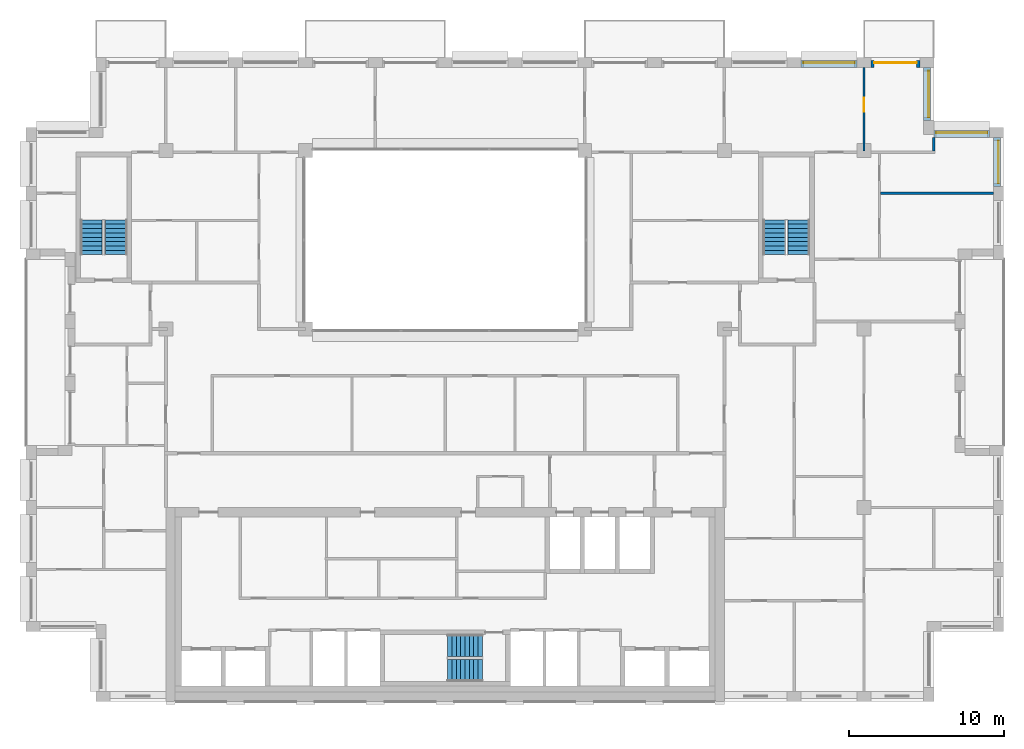
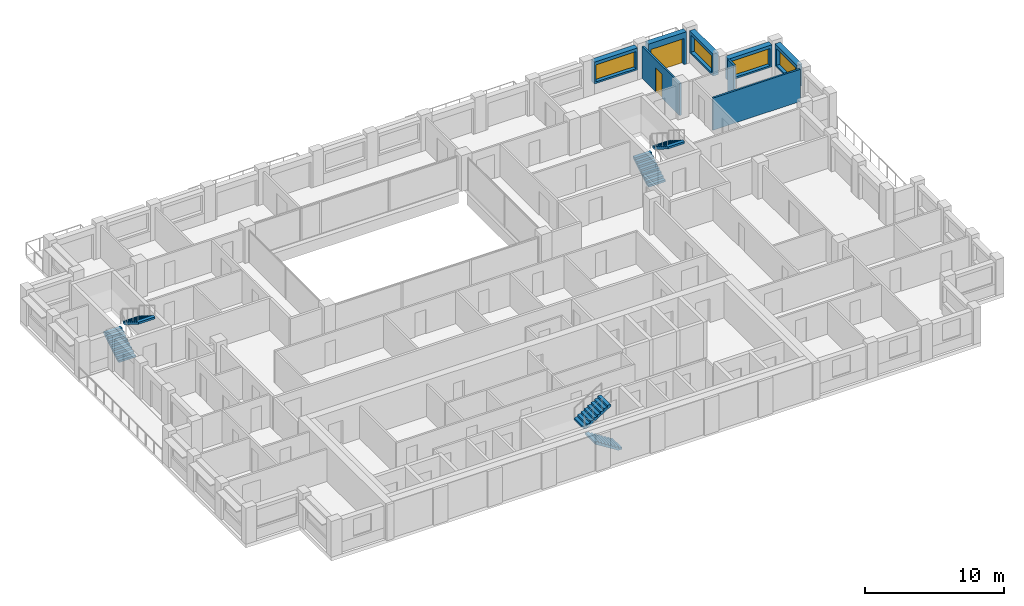
# One storey, part 14 of 15: 8 walls, 6 stair flights, 4 windows, 2 doors, 6 openings, 3 elements without a shape of their own.
"""IFC4 building model written with IfcOpenShell, lengths in metres."""

from ifc_helpers import new_model, si_unit, direction, frame, frame_2d, origin, place, context, subcontext, project, spatial, polyline, rectangle, outline, extrude, material, layer, layer_set, type_object, element, fill, aggregate, save


model = new_model("IFC4")

# Units and contexts
model_context = context("Model", 3, precision=1e-05, world=origin(), true_north=direction((0.0, 1.0)))
body_context = subcontext(model_context, "Body", "Model", "MODEL_VIEW")
ifc_project = project(units=[si_unit("LENGTHUNIT", "METRE"), si_unit("AREAUNIT", "SQUARE_METRE"), si_unit("VOLUMEUNIT", "CUBIC_METRE"), si_unit("PLANEANGLEUNIT", "RADIAN"), si_unit("MASSUNIT", "GRAM", prefix="KILO")], contexts=[model_context])

# Site, building, storey
site_placement = place(None, origin())
site = spatial("IfcSite", under=ifc_project, at=site_placement, CompositionType="ELEMENT")
building_placement = place(site_placement, origin())
building = spatial("IfcBuilding", under=site, at=building_placement, Name="Brigalow Station Residences", CompositionType="ELEMENT")
storey_placement = place(building_placement, frame((0.0, 0.0, 223.199951171875)))
storey = spatial("IfcBuildingStorey", under=building, at=storey_placement, Name="L64", CompositionType="ELEMENT", Elevation=223.199951171875)

# Wall, opening, window
ifc_material_1 = material(Name="Clay brick masonry", Category="masonry")
ifc_layer_1 = layer(ifc_material_1, 0.449951171875)
ifc_layer_set_1 = layer_set([ifc_layer_1], Name="BRICK INFILL WALL 450")
wall_type_1 = type_object("IfcWallType", Name="BRICK INFILL WALL 450", PredefinedType="SOLIDWALL", material=ifc_layer_set_1)
wall_1_placement = place(storey_placement, frame((71.574951171875, 33.199951171875, 0.900146484375), z_axis=(0.0, 0.0, 1.0), x_axis=(0.0, 1.0, 0.0)))
wall_1 = element("IfcWall", 1, at=wall_1_placement, inside=storey, type_object=wall_type_1, Name="L64/ewall/W-L64-17", PredefinedType="SOLIDWALL", context=body_context, shape_type="SweptSolid", body=[
    extrude(rectangle(XDim=3.150146484375, YDim=0.449951171875, at=frame_2d((1.5751953125, 0.0))), origin(), (0.0, 0.0, 1.0), 1.929931640625),
])
opening_1_placement = place(wall_1_placement, frame((0.199951171875, 0.0, 0.14990234375)))
opening_1 = element("IfcOpeningElement", 2, at=opening_1_placement, cuts=wall_1, Name="Opening WT-3", PredefinedType="OPENING", context=body_context, shape_type="SweptSolid", body=[
    extrude(rectangle(XDim=2.75, YDim=1.5, at=frame_2d((1.375, 0.75))), frame((0.0, 0.23486328125, 0.0), z_axis=(0.0, -1.0, 0.0), x_axis=(1.0, 0.0, 0.0)), (0.0, 0.0, 1.0), 0.469970703125),
])
ifc_material_2 = material(Name="Anodised aluminium frame with double glazing", Category="aluminium")
window_type_1 = type_object("IfcWindowType", Name="WINDOW 2750x1500", PartitioningType="SINGLE_PANEL", PredefinedType="WINDOW", material=ifc_material_2)
window_1_placement = place(opening_1_placement, origin())
window_1 = element("IfcWindow", 3, at=window_1_placement, inside=storey, type_object=window_type_1, Name="L64/window/W-L64-17", OverallHeight=1.5, OverallWidth=2.75, PartitioningType="SINGLE_PANEL", PredefinedType="WINDOW", context=body_context, shape_type="SweptSolid", body=[
    extrude(rectangle(XDim=2.75, YDim=1.5, at=frame_2d((1.375, 0.75))), frame((0.0, -0.06494140625, 0.0), z_axis=(0.0, -1.0, 0.0), x_axis=(1.0, 0.0, 0.0)), (0.0, 0.0, 1.0), 0.06005859375),
])
fill(opening_1, window_1)

wall_2_placement = place(storey_placement, frame((71.10009765625, 36.574951171875, 0.900146484375), z_axis=(0.0, 0.0, 1.0), x_axis=(-1.0, 0.0, 0.0)))
wall_2 = element("IfcWall", 4, at=wall_2_placement, inside=storey, type_object=wall_type_1, Name="L64/ewall/W-L64-18", PredefinedType="SOLIDWALL", context=body_context, shape_type="SweptSolid", body=[
    extrude(rectangle(XDim=3.60009765625, YDim=0.449951171875, at=frame_2d((1.800048828125, 0.0))), origin(), (0.0, 0.0, 1.0), 1.929931640625),
])
opening_2_placement = place(wall_2_placement, frame((0.14990234375, 0.0, 0.14990234375)))
opening_2 = element("IfcOpeningElement", 5, at=opening_2_placement, cuts=wall_2, Name="Opening WT-10", PredefinedType="OPENING", context=body_context, shape_type="SweptSolid", body=[
    extrude(rectangle(XDim=3.300048828125, YDim=1.5, at=frame_2d((1.64990234375, 0.75))), frame((0.0, 0.23486328125, 0.0), z_axis=(0.0, -1.0, 0.0), x_axis=(1.0, 0.0, 0.0)), (0.0, 0.0, 1.0), 0.469970703125),
])
ifc_material_3 = material(Name="Anodised aluminium frame with double glazing", Category="aluminium")
window_type_2 = type_object("IfcWindowType", Name="WINDOW 3300x1500", PartitioningType="SINGLE_PANEL", PredefinedType="WINDOW", material=ifc_material_3)
window_2_placement = place(opening_2_placement, origin())
window_2 = element("IfcWindow", 6, at=window_2_placement, inside=storey, type_object=window_type_2, Name="L64/window/W-L64-18", OverallHeight=1.5, OverallWidth=3.300048828125, PartitioningType="SINGLE_PANEL", PredefinedType="WINDOW", context=body_context, shape_type="SweptSolid", body=[
    extrude(rectangle(XDim=3.300048828125, YDim=1.5, at=frame_2d((1.64990234375, 0.75))), frame((0.0, -0.06494140625, 0.0), z_axis=(0.0, -1.0, 0.0), x_axis=(1.0, 0.0, 0.0)), (0.0, 0.0, 1.0), 0.06005859375),
])
fill(opening_2, window_2)

wall_3_placement = place(storey_placement, frame((67.074951171875, 37.449951171875, 0.900146484375), z_axis=(0.0, 0.0, 1.0), x_axis=(0.0, 1.0, 0.0)))
wall_3 = element("IfcWall", 7, at=wall_3_placement, inside=storey, type_object=wall_type_1, Name="L64/ewall/W-L64-19", PredefinedType="SOLIDWALL", context=body_context, shape_type="SweptSolid", body=[
    extrude(rectangle(XDim=3.400146484375, YDim=0.449951171875, at=frame_2d((1.7001953125, 0.0))), origin(), (0.0, 0.0, 1.0), 1.929931640625),
])
opening_3_placement = place(wall_3_placement, frame((0.199951171875, 0.0, 0.14990234375)))
opening_3 = element("IfcOpeningElement", 8, at=opening_3_placement, cuts=wall_3, Name="Opening WT-2", PredefinedType="OPENING", context=body_context, shape_type="SweptSolid", body=[
    extrude(rectangle(XDim=3.0, YDim=1.5, at=frame_2d((1.5, 0.75))), frame((0.0, 0.23486328125, 0.0), z_axis=(0.0, -1.0, 0.0), x_axis=(1.0, 0.0, 0.0)), (0.0, 0.0, 1.0), 0.469970703125),
])
ifc_material_4 = material(Name="Anodised aluminium frame with double glazing", Category="aluminium")
window_type_3 = type_object("IfcWindowType", Name="WINDOW 3000x1500", PartitioningType="SINGLE_PANEL", PredefinedType="WINDOW", material=ifc_material_4)
window_3_placement = place(opening_3_placement, origin())
window_3 = element("IfcWindow", 9, at=window_3_placement, inside=storey, type_object=window_type_3, Name="L64/window/W-L64-19", OverallHeight=1.5, OverallWidth=3.0, PartitioningType="SINGLE_PANEL", PredefinedType="WINDOW", context=body_context, shape_type="SweptSolid", body=[
    extrude(rectangle(XDim=3.0, YDim=1.5, at=frame_2d((1.5, 0.75))), frame((0.0, -0.06494140625, 0.0), z_axis=(0.0, -1.0, 0.0), x_axis=(1.0, 0.0, 0.0)), (0.0, 0.0, 1.0), 0.06005859375),
])
fill(opening_3, window_3)

# Wall, opening, door
wall_4_placement = place(storey_placement, frame((66.60009765625, 41.074951171875, 0.0), z_axis=(0.0, 0.0, 1.0), x_axis=(-1.0, 0.0, 0.0)))
wall_4 = element("IfcWall", 10, at=wall_4_placement, inside=storey, type_object=wall_type_1, Name="L64/ewall/W-L64-20", PredefinedType="SOLIDWALL", context=body_context, shape_type="SweptSolid", body=[
    extrude(rectangle(XDim=3.150146484375, YDim=0.449951171875, at=frame_2d((1.5751953125, 0.0))), origin(), (0.0, 0.0, 1.0), 2.830078125),
])
opening_4_placement = place(wall_4_placement, frame((0.199951171875, 0.0, 0.0)))
opening_4 = element("IfcOpeningElement", 11, at=opening_4_placement, cuts=wall_4, Name="Opening D-B2750", PredefinedType="OPENING", context=body_context, shape_type="SweptSolid", body=[
    extrude(rectangle(XDim=2.75, YDim=2.300048828125, at=frame_2d((1.375, 1.14990234375))), frame((0.0, 0.23486328125, 0.0), z_axis=(0.0, -1.0, 0.0), x_axis=(1.0, 0.0, 0.0)), (0.0, 0.0, 1.0), 0.469970703125),
])
ifc_material_5 = material(Name="Anodised aluminium frame with double glazing", Category="aluminium")
door_type_1 = type_object("IfcDoorType", Name="BALCONY SLIDING DOOR 2750x2300", OperationType="SLIDING_TO_LEFT", PredefinedType="DOOR", material=ifc_material_5)
door_1_placement = place(opening_4_placement, origin())
door_1 = element("IfcDoor", 12, at=door_1_placement, inside=storey, type_object=door_type_1, Name="L64/balcony-door/W-L64-20", OperationType="SLIDING_TO_LEFT", OverallHeight=2.300048828125, OverallWidth=2.75, PredefinedType="DOOR", context=body_context, shape_type="SweptSolid", body=[
    extrude(rectangle(XDim=2.75, YDim=2.300048828125, at=frame_2d((1.375, 1.14990234375))), frame((0.0, -0.06982421875, 0.0), z_axis=(0.0, -1.0, 0.0), x_axis=(1.0, 0.0, 0.0)), (0.0, 0.0, 1.0), 0.050048828125),
])
fill(opening_4, door_1)

# Wall, opening, window
wall_5_placement = place(storey_placement, frame((62.550048828125, 41.074951171875, 0.900146484375), z_axis=(0.0, 0.0, 1.0), x_axis=(-1.0, 0.0, 0.0)))
wall_5 = element("IfcWall", 13, at=wall_5_placement, inside=storey, type_object=wall_type_1, Name="L64/ewall/W-L64-21", PredefinedType="SOLIDWALL", context=body_context, shape_type="SweptSolid", body=[
    extrude(rectangle(XDim=3.60009765625, YDim=0.449951171875, at=frame_2d((1.800048828125, 0.0))), origin(), (0.0, 0.0, 1.0), 1.929931640625),
])
opening_5_placement = place(wall_5_placement, frame((0.14990234375, 0.0, 0.14990234375)))
opening_5 = element("IfcOpeningElement", 14, at=opening_5_placement, cuts=wall_5, Name="Opening WT-10", PredefinedType="OPENING", context=body_context, shape_type="SweptSolid", body=[
    extrude(rectangle(XDim=3.300048828125, YDim=1.5, at=frame_2d((1.64990234375, 0.75))), frame((0.0, 0.23486328125, 0.0), z_axis=(0.0, -1.0, 0.0), x_axis=(1.0, 0.0, 0.0)), (0.0, 0.0, 1.0), 0.469970703125),
])
window_4_placement = place(opening_5_placement, origin())
window_4 = element("IfcWindow", 15, at=window_4_placement, inside=storey, type_object=window_type_2, Name="L64/window/W-L64-21", OverallHeight=1.5, OverallWidth=3.300048828125, PartitioningType="SINGLE_PANEL", PredefinedType="WINDOW", context=body_context, shape_type="SweptSolid", body=[
    extrude(rectangle(XDim=3.300048828125, YDim=1.5, at=frame_2d((1.64990234375, 0.75))), frame((0.0, -0.06494140625, 0.0), z_axis=(0.0, -1.0, 0.0), x_axis=(1.0, 0.0, 0.0)), (0.0, 0.0, 1.0), 0.06005859375),
])
fill(opening_5, window_4)

# Wall
ifc_material_6 = material(Name="Plasterboard on steel stud partition", Category="steel")
ifc_layer_2 = layer(ifc_material_6, 0.14990234375)
ifc_layer_set_2 = layer_set([ifc_layer_2], Name="FLAT PARTITION 150")
wall_type_2 = type_object("IfcWallType", Name="FLAT PARTITION 150", PredefinedType="PARTITIONING", material=ifc_layer_set_2)
wall_6_placement = place(storey_placement, frame((64.074951171875, 32.75, 0.0), z_axis=(0.0, 0.0, 1.0), x_axis=(1.0, 0.0, 0.0)))
element("IfcWall", 16, at=wall_6_placement, inside=storey, type_object=wall_type_2, Name="PW-4D21", PredefinedType="PARTITIONING", context=body_context, shape_type="SweptSolid", body=[
    extrude(rectangle(XDim=7.275146484375, YDim=0.14990234375, at=frame_2d((3.6376953125, 0.0))), origin(), (0.0, 0.0, 1.0), 2.830078125),
])

# Wall, opening, door
wall_7_placement = place(storey_placement, frame((63.0, 35.47509765625, 0.0), z_axis=(0.0, 0.0, 1.0), x_axis=(0.0, 1.0, 0.0)))
wall_7 = element("IfcWall", 17, at=wall_7_placement, inside=storey, type_object=wall_type_2, Name="PW-4D46", PredefinedType="PARTITIONING", context=body_context, shape_type="SweptSolid", body=[
    extrude(rectangle(XDim=5.375, YDim=0.14990234375, at=frame_2d((2.6875, 0.0))), origin(), (0.0, 0.0, 1.0), 2.830078125),
])
opening_6_placement = place(wall_7_placement, frame((2.550048828125, 0.0, 0.0)))
opening_6 = element("IfcOpeningElement", 18, at=opening_6_placement, cuts=wall_7, Name="Opening D-4D26", PredefinedType="OPENING", context=body_context, shape_type="SweptSolid", body=[
    extrude(rectangle(XDim=0.89990234375, YDim=2.10009765625, at=frame_2d((0.449951171875, 1.050048828125))), frame((0.0, 0.0849609375, 0.0), z_axis=(0.0, -1.0, 0.0), x_axis=(1.0, 0.0, 0.0)), (0.0, 0.0, 1.0), 0.169921875),
])
ifc_material_7 = material(Name="Solid-core timber door leaf", Category="wood")
door_type_2 = type_object("IfcDoorType", Name="INTERNAL DOOR 900 x 2100", OperationType="SINGLE_SWING_LEFT", PredefinedType="DOOR", material=ifc_material_7)
door_2_placement = place(opening_6_placement, frame((0.89990234375, 0.0, 0.0), z_axis=(0.0, 0.0, 1.0), x_axis=(-1.0, 0.0, 0.0)))
door_2 = element("IfcDoor", 19, at=door_2_placement, inside=storey, type_object=door_type_2, Name="D-4D26", OperationType="SINGLE_SWING_LEFT", OverallHeight=2.10009765625, OverallWidth=0.89990234375, PredefinedType="DOOR", context=body_context, shape_type="SweptSolid", body=[
    extrude(rectangle(XDim=0.89990234375, YDim=2.10009765625, at=frame_2d((0.449951171875, 1.050048828125))), frame((0.0, 0.02490234375, 0.0), z_axis=(0.0, -1.0, 0.0), x_axis=(1.0, 0.0, 0.0)), (0.0, 0.0, 1.0), 0.050048828125),
])
fill(opening_6, door_2)

# Wall
wall_8_placement = place(storey_placement, frame((67.5, 35.47509765625, 0.0), z_axis=(0.0, 0.0, 1.0), x_axis=(0.0, 1.0, 0.0)))
element("IfcWall", 20, at=wall_8_placement, inside=storey, type_object=wall_type_2, Name="PW-4D48", PredefinedType="PARTITIONING", context=body_context, shape_type="SweptSolid", body=[
    extrude(rectangle(XDim=0.875, YDim=0.14990234375, at=frame_2d((0.4375, 0.0))), origin(), (0.0, 0.0, 1.0), 2.830078125),
])

# Stair, stair flights
ifc_material_8 = material(Name="Concrete C50", Category="concrete")
stair_type = type_object("IfcStairType", Name="EXIT STAIR 1400 2 FLIGHT", PredefinedType="HALF_TURN_STAIR", material=ifc_material_8)
stair_1_placement = place(storey_placement, origin())
stair_1 = element("IfcStair", 21, at=stair_1_placement, inside=storey, type_object=stair_type, Name="EXIT STAIR S2 L64", PredefinedType="HALF_TURN_STAIR")
ifc_material_9 = material(Name="Concrete C50", Category="concrete")
stair_flight_type = type_object("IfcStairFlightType", Name="STAIR FLIGHT 1400", PredefinedType="STRAIGHT", material=ifc_material_9)
stair_flight_1_placement = place(storey_placement, frame((38.39990234375, 2.0, 0.0), z_axis=(0.0, 0.0, 1.0), x_axis=(-1.0, 0.0, 0.0)))
stair_flight_1 = element("IfcStairFlight", 22, at=stair_flight_1_placement, type_object=stair_flight_type, Name="ST-2 flight 1", NumberOfRisers=9, NumberOfTreads=8, PredefinedType="STRAIGHT", RiserHeight=0.175, TreadLength=0.28, context=body_context, shape_type="SweptSolid", body=[
    extrude(outline(polyline([(0.0, 0.0), (0.0, 0.175048828125), (0.280029296875, 0.175048828125), (0.280029296875, 0.35009765625), (0.56005859375, 0.35009765625), (0.56005859375, 0.52490234375), (0.840087890625, 0.52490234375), (0.840087890625, 0.699951171875), (1.1201171875, 0.699951171875), (1.1201171875, 0.875), (1.39990234375, 0.875), (1.39990234375, 1.050048828125), (1.679931640625, 1.050048828125), (1.679931640625, 1.22509765625), (1.9599609375, 1.22509765625), (1.9599609375, 1.39990234375), (2.239990234375, 1.39990234375), (2.239990234375, 1.574951171875), (2.239990234375, 1.22314453125), (0.28271484375, 0.0), (0.0, 0.0)])), frame((0.0, 0.699951171875, 0.0), z_axis=(0.0, -1.0, 0.0), x_axis=(1.0, 0.0, 0.0)), (0.0, 0.0, 1.0), 1.39990234375),
])
stair_flight_2_placement = place(storey_placement, frame((36.159912109375, 3.60009765625, 1.574951171875), z_axis=(0.0, 0.0, 1.0), x_axis=(1.0, 0.0, 0.0)))
stair_flight_2 = element("IfcStairFlight", 23, at=stair_flight_2_placement, type_object=stair_flight_type, Name="ST-2 flight 2", NumberOfRisers=9, NumberOfTreads=8, PredefinedType="STRAIGHT", RiserHeight=0.175, TreadLength=0.28, context=body_context, shape_type="SweptSolid", body=[
    extrude(outline(polyline([(0.0, 0.0), (0.0, 0.175048828125), (0.280029296875, 0.175048828125), (0.280029296875, 0.35009765625), (0.56005859375, 0.35009765625), (0.56005859375, 0.52490234375), (0.840087890625, 0.52490234375), (0.840087890625, 0.699951171875), (1.1201171875, 0.699951171875), (1.1201171875, 0.875), (1.39990234375, 0.875), (1.39990234375, 1.050048828125), (1.679931640625, 1.050048828125), (1.679931640625, 1.22509765625), (1.9599609375, 1.22509765625), (1.9599609375, 1.39990234375), (2.239990234375, 1.39990234375), (2.239990234375, 1.574951171875), (2.239990234375, 1.22314453125), (0.28271484375, 0.0), (0.0, 0.0)])), frame((0.0, 0.699951171875, 0.0), z_axis=(0.0, -1.0, 0.0), x_axis=(1.0, 0.0, 0.0)), (0.0, 0.0, 1.0), 1.39990234375),
])
aggregate(stair_1, [stair_flight_1, stair_flight_2])

stair_2_placement = place(storey_placement, origin())
stair_2 = element("IfcStair", 24, at=stair_2_placement, inside=storey, type_object=stair_type, Name="EXIT STAIR S1 L64", PredefinedType="HALF_TURN_STAIR")
stair_flight_3_placement = place(storey_placement, frame((13.199951171875, 28.800048828125, 0.0), z_axis=(0.0, 0.0, 1.0), x_axis=(0.0, 1.0, 0.0)))
stair_flight_3 = element("IfcStairFlight", 25, at=stair_flight_3_placement, type_object=stair_flight_type, Name="ST-1 flight 1", NumberOfRisers=9, NumberOfTreads=8, PredefinedType="STRAIGHT", RiserHeight=0.175, TreadLength=0.28, context=body_context, shape_type="SweptSolid", body=[
    extrude(outline(polyline([(0.0, 0.0), (0.0, 0.175048828125), (0.280029296875, 0.175048828125), (0.280029296875, 0.35009765625), (0.56005859375, 0.35009765625), (0.56005859375, 0.52490234375), (0.840087890625, 0.52490234375), (0.840087890625, 0.699951171875), (1.1201171875, 0.699951171875), (1.1201171875, 0.875), (1.39990234375, 0.875), (1.39990234375, 1.050048828125), (1.679931640625, 1.050048828125), (1.679931640625, 1.22509765625), (1.9599609375, 1.22509765625), (1.9599609375, 1.39990234375), (2.239990234375, 1.39990234375), (2.239990234375, 1.574951171875), (2.239990234375, 1.22314453125), (0.28271484375, 0.0), (0.0, 0.0)])), frame((0.0, 0.699951171875, 0.0), z_axis=(0.0, -1.0, 0.0), x_axis=(1.0, 0.0, 0.0)), (0.0, 0.0, 1.0), 1.39990234375),
])
stair_flight_4_placement = place(storey_placement, frame((14.800048828125, 31.0400390625, 1.574951171875), z_axis=(0.0, 0.0, 1.0), x_axis=(0.0, -1.0, 0.0)))
stair_flight_4 = element("IfcStairFlight", 26, at=stair_flight_4_placement, type_object=stair_flight_type, Name="ST-1 flight 2", NumberOfRisers=9, NumberOfTreads=8, PredefinedType="STRAIGHT", RiserHeight=0.175, TreadLength=0.28, context=body_context, shape_type="SweptSolid", body=[
    extrude(outline(polyline([(0.0, 0.0), (0.0, 0.175048828125), (0.280029296875, 0.175048828125), (0.280029296875, 0.35009765625), (0.56005859375, 0.35009765625), (0.56005859375, 0.52490234375), (0.840087890625, 0.52490234375), (0.840087890625, 0.699951171875), (1.1201171875, 0.699951171875), (1.1201171875, 0.875), (1.39990234375, 0.875), (1.39990234375, 1.050048828125), (1.679931640625, 1.050048828125), (1.679931640625, 1.22509765625), (1.9599609375, 1.22509765625), (1.9599609375, 1.39990234375), (2.239990234375, 1.39990234375), (2.239990234375, 1.574951171875), (2.239990234375, 1.22314453125), (0.28271484375, 0.0), (0.0, 0.0)])), frame((0.0, 0.699951171875, 0.0), z_axis=(0.0, -1.0, 0.0), x_axis=(1.0, 0.0, 0.0)), (0.0, 0.0, 1.0), 1.39990234375),
])
aggregate(stair_2, [stair_flight_3, stair_flight_4])

stair_3_placement = place(storey_placement, origin())
stair_3 = element("IfcStair", 27, at=stair_3_placement, inside=storey, type_object=stair_type, Name="EXIT STAIR S3 L64", PredefinedType="HALF_TURN_STAIR")
stair_flight_5_placement = place(storey_placement, frame((57.199951171875, 28.800048828125, 0.0), z_axis=(0.0, 0.0, 1.0), x_axis=(0.0, 1.0, 0.0)))
stair_flight_5 = element("IfcStairFlight", 28, at=stair_flight_5_placement, type_object=stair_flight_type, Name="ST-3 flight 1", NumberOfRisers=9, NumberOfTreads=8, PredefinedType="STRAIGHT", RiserHeight=0.175, TreadLength=0.28, context=body_context, shape_type="SweptSolid", body=[
    extrude(outline(polyline([(0.0, 0.0), (0.0, 0.175048828125), (0.280029296875, 0.175048828125), (0.280029296875, 0.35009765625), (0.56005859375, 0.35009765625), (0.56005859375, 0.52490234375), (0.840087890625, 0.52490234375), (0.840087890625, 0.699951171875), (1.1201171875, 0.699951171875), (1.1201171875, 0.875), (1.39990234375, 0.875), (1.39990234375, 1.050048828125), (1.679931640625, 1.050048828125), (1.679931640625, 1.22509765625), (1.9599609375, 1.22509765625), (1.9599609375, 1.39990234375), (2.239990234375, 1.39990234375), (2.239990234375, 1.574951171875), (2.239990234375, 1.22314453125), (0.28271484375, 0.0), (0.0, 0.0)])), frame((0.0, 0.699951171875, 0.0), z_axis=(0.0, -1.0, 0.0), x_axis=(1.0, 0.0, 0.0)), (0.0, 0.0, 1.0), 1.39990234375),
])
stair_flight_6_placement = place(storey_placement, frame((58.800048828125, 31.0400390625, 1.574951171875), z_axis=(0.0, 0.0, 1.0), x_axis=(0.0, -1.0, 0.0)))
stair_flight_6 = element("IfcStairFlight", 29, at=stair_flight_6_placement, type_object=stair_flight_type, Name="ST-3 flight 2", NumberOfRisers=9, NumberOfTreads=8, PredefinedType="STRAIGHT", RiserHeight=0.175, TreadLength=0.28, context=body_context, shape_type="SweptSolid", body=[
    extrude(outline(polyline([(0.0, 0.0), (0.0, 0.175048828125), (0.280029296875, 0.175048828125), (0.280029296875, 0.35009765625), (0.56005859375, 0.35009765625), (0.56005859375, 0.52490234375), (0.840087890625, 0.52490234375), (0.840087890625, 0.699951171875), (1.1201171875, 0.699951171875), (1.1201171875, 0.875), (1.39990234375, 0.875), (1.39990234375, 1.050048828125), (1.679931640625, 1.050048828125), (1.679931640625, 1.22509765625), (1.9599609375, 1.22509765625), (1.9599609375, 1.39990234375), (2.239990234375, 1.39990234375), (2.239990234375, 1.574951171875), (2.239990234375, 1.22314453125), (0.28271484375, 0.0), (0.0, 0.0)])), frame((0.0, 0.699951171875, 0.0), z_axis=(0.0, -1.0, 0.0), x_axis=(1.0, 0.0, 0.0)), (0.0, 0.0, 1.0), 1.39990234375),
])
aggregate(stair_3, [stair_flight_5, stair_flight_6])

save(model, "model.ifc")
